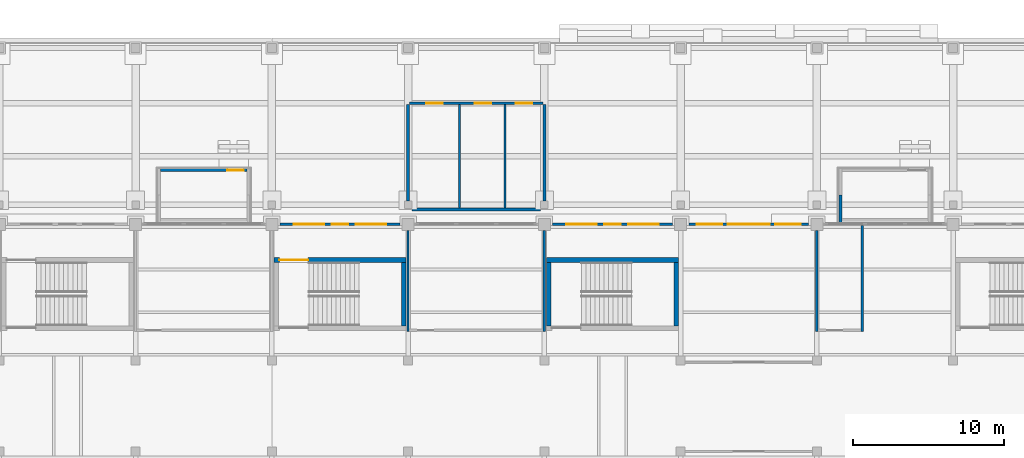
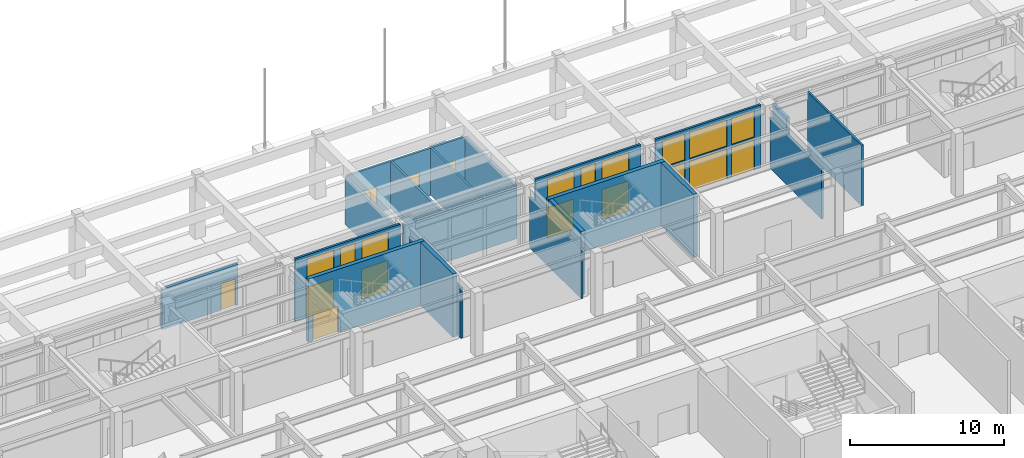
# One storey, part 49 of 77: 20 walls, 12 doors, 9 windows, 21 openings.
"""IFC4 building model written with IfcOpenShell, lengths in metres."""

import ifcopenshell
import ifcopenshell.guid

model = None  # the IFC model being written
_history = None  # IfcOwnerHistory: only IFC2X3 demands one
_inside = {}  # id of a spatial element -> (the spatial element, [elements in it])
_under = {}  # id of a project, library or spatial element -> (it, [spatial elements below it])
_declared = {}  # id of a project -> (the project, [libraries it declares])
_typed = {}  # id of a type object -> (the type object, [elements of that type])
_made_of = {}  # id of a material, layer set ... -> (it, [elements and type objects made of it])


def new_model(schema):
    """Start an empty IFC model of exactly this schema.

    Asked for "IFC4X3", IfcOpenShell would pick the latest addendum, in which some entities
    have other attributes; the version numbers below select the first issue.
    IFC2X3 requires an IfcOwnerHistory on every rooted entity: one is made here for all.
    """
    global model, _history
    if schema == "IFC4X3":
        model = ifcopenshell.file(schema_version=(4, 3, 0, 0))
    else:
        model = ifcopenshell.file(schema=schema)
    _inside.clear()
    _under.clear()
    _declared.clear()
    _typed.clear()
    _made_of.clear()
    _history = None
    if model.schema == "IFC2X3":
        org = make("IfcOrganization", Name="unknown")
        user = make(
            "IfcPersonAndOrganization",
            ThePerson=make("IfcPerson", FamilyName="unknown"),
            TheOrganization=org,
        )
        app = make(
            "IfcApplication",
            ApplicationDeveloper=org,
            Version="unknown",
            ApplicationFullName="unknown",
            ApplicationIdentifier="unknown",
        )
        _history = make(
            "IfcOwnerHistory",
            OwningUser=user,
            OwningApplication=app,
            ChangeAction="ADDED",
            CreationDate=0,
        )
    return model


def make(cls, **values):
    """One entity of the class cls with the attributes given. An attribute that is None is left unset."""
    return model.create_entity(
        cls, **{name: value for name, value in values.items() if value is not None}
    )


def rooted(cls, **values):
    """An entity with a GlobalId (a new one), such as an element, a storey or a relation."""
    return make(cls, GlobalId=ifcopenshell.guid.new(), OwnerHistory=_history, **values)


def si_unit(unit_type, name, prefix=None):
    """IfcSIUnit, for example si_unit("LENGTHUNIT", "METRE", prefix="MILLI")."""
    return make("IfcSIUnit", UnitType=unit_type, Prefix=prefix, Name=name)


def assignment(units):
    """IfcUnitAssignment: the units of a project."""
    return None if units is None else make("IfcUnitAssignment", Units=units)


def point(xyz):
    """IfcCartesianPoint."""
    return None if xyz is None else make("IfcCartesianPoint", Coordinates=xyz)


def direction(xyz):
    """IfcDirection."""
    return None if xyz is None else make("IfcDirection", DirectionRatios=xyz)


def frame(location, z_axis=None, x_axis=None):
    """IfcAxis2Placement3D, a coordinate frame: its origin and axes. An axis left out is left unset."""
    return make(
        "IfcAxis2Placement3D",
        Location=point(location),
        Axis=direction(z_axis),
        RefDirection=direction(x_axis),
    )


def frame_2d(location, x_axis=None):
    """IfcAxis2Placement2D, a coordinate frame in the plane: its origin and x axis."""
    return make(
        "IfcAxis2Placement2D", Location=point(location), RefDirection=direction(x_axis)
    )


def origin():
    """The frame at (0, 0, 0) with its axes left unset."""
    return frame((0.0, 0.0, 0.0))


def place(relative_to, where):
    """IfcLocalPlacement: puts the frame where relative to a parent placement (None: the world)."""
    return make(
        "IfcLocalPlacement", PlacementRelTo=relative_to, RelativePlacement=where
    )


def context(
    kind, dimensions, precision=None, world=None, true_north=None, identifier=None
):
    """IfcGeometricRepresentationContext, for example the 3D "Model" context."""
    return make(
        "IfcGeometricRepresentationContext",
        ContextIdentifier=identifier,
        ContextType=kind,
        CoordinateSpaceDimension=dimensions,
        Precision=precision,
        WorldCoordinateSystem=world,
        TrueNorth=true_north,
    )


def subcontext(parent, identifier, kind, view, scale=None):
    """IfcGeometricRepresentationSubContext, for example "Body" below "Model"."""
    return make(
        "IfcGeometricRepresentationSubContext",
        ContextIdentifier=identifier,
        ContextType=kind,
        ParentContext=parent,
        TargetScale=scale,
        TargetView=view,
    )


def project(units=None, contexts=None):
    """IfcProject with its units and contexts."""
    return rooted(
        "IfcProject",
        Name="project",
        RepresentationContexts=contexts,
        UnitsInContext=assignment(units),
    )


def spatial(cls, under=None, at=None, **own):
    """A site, building, storey or space (cls), placed at a placement, below another one or the project."""
    s = rooted(cls, ObjectPlacement=at, **own)
    if under is not None:
        _under.setdefault(under.id(), (under, []))[1].append(s)
    return s


def profile(cls, at=None, kind="AREA", **sizes):
    """A parametric profile (cls). Its sizes go by their IFC names, for example OverallWidth=200.0."""
    return make(cls, ProfileType=kind, Position=at, **sizes)


def rectangle(**sizes):
    """IfcRectangleProfileDef."""
    return profile("IfcRectangleProfileDef", **sizes)


def extrude(swept, where, along, depth):
    """IfcExtrudedAreaSolid: the profile swept, set in the frame where, extruded along a direction by depth."""
    return make(
        "IfcExtrudedAreaSolid",
        SweptArea=swept,
        Position=where,
        ExtrudedDirection=direction(along),
        Depth=depth,
    )


def shape(context_of_items, identifier, shape_type, items):
    """IfcShapeRepresentation: the items that make up one representation, for example the "Body"."""
    return make(
        "IfcShapeRepresentation",
        ContextOfItems=context_of_items,
        RepresentationIdentifier=identifier,
        RepresentationType=shape_type,
        Items=items,
    )


def material(Name=None, Category=None):
    """IfcMaterial."""
    return make("IfcMaterial", Name=Name, Category=Category)


def layer(
    of_material, thickness, ventilated=None, Name=None, Category=None, Priority=None
):
    """IfcMaterialLayer: one layer of a wall or slab, of a material (None: an air gap)."""
    return make(
        "IfcMaterialLayer",
        Material=of_material,
        LayerThickness=thickness,
        IsVentilated=ventilated,
        Name=Name,
        Category=Category,
        Priority=Priority,
    )


def layer_set(layers, Name=None):
    """IfcMaterialLayerSet."""
    return make("IfcMaterialLayerSet", MaterialLayers=layers, LayerSetName=Name)


def made_of(thing, what):
    """Note that an element or type object is made of a material, layer set ...; save() writes the relation."""
    if what is not None:
        _made_of.setdefault(what.id(), (what, []))[1].append(thing)
    return thing


def type_object(cls, material=None, **own):
    """A type object (cls), such as IfcWallType, which elements share."""
    return made_of(rooted(cls, **own), material)


def element(
    cls,
    number,
    at=None,
    inside=None,
    cuts=None,
    type_object=None,
    material=None,
    context=None,
    identifier="Body",
    shape_type=None,
    held_by="IfcProductDefinitionShape",
    body=None,
    shapes=None,
    **own,
):
    """One element of the class cls, such as IfcWall. Its Tag is "e" and its number.

    at: its placement. inside: the storey or other place that contains it. cuts: it is an
    opening in that element (IfcRelVoidsElement). A single representation is given by context,
    identifier, shape_type and body (its items); several are given by shapes. held_by: the class
    of the entity that holds the representations. save() writes the other relations.
    """
    e = rooted(cls, Tag="e%d" % number, ObjectPlacement=at, **own)
    if body is not None:
        shapes = [shape(context, identifier, shape_type, body)]
    if shapes is not None:
        e.Representation = make(held_by, Representations=shapes)
    if inside is not None:
        _inside.setdefault(inside.id(), (inside, []))[1].append(e)
    if cuts is not None:
        rooted(
            "IfcRelVoidsElement", RelatingBuildingElement=cuts, RelatedOpeningElement=e
        )
    if type_object is not None:
        _typed.setdefault(type_object.id(), (type_object, []))[1].append(e)
    return made_of(e, material)


def fill(opening, filler):
    """IfcRelFillsElement: the door or window that sits in an opening."""
    return rooted(
        "IfcRelFillsElement",
        RelatingOpeningElement=opening,
        RelatedBuildingElement=filler,
    )


def aggregate(whole, parts):
    """IfcRelAggregates: a whole, such as a stair, and the parts it consists of."""
    return rooted("IfcRelAggregates", RelatingObject=whole, RelatedObjects=parts)


def save(model, path):
    """Write the relations noted so far, then the file.

    IfcRelAggregates (storeys below a building ...), IfcRelContainedInSpatialStructure (elements
    in a storey), IfcRelDefinesByType, IfcRelAssociatesMaterial and IfcRelDeclares: one each for
    every whole, place, type object, material and project.
    """
    for whole, parts in _under.values():
        aggregate(whole, parts)
    for where, things in _inside.values():
        rooted(
            "IfcRelContainedInSpatialStructure",
            RelatedElements=things,
            RelatingStructure=where,
        )
    for kind, things in _typed.values():
        rooted("IfcRelDefinesByType", RelatedObjects=things, RelatingType=kind)
    for what, things in _made_of.values():
        rooted("IfcRelAssociatesMaterial", RelatedObjects=things, RelatingMaterial=what)
    for by, libraries in _declared.values():
        rooted("IfcRelDeclares", RelatingContext=by, RelatedDefinitions=libraries)
    model.write(path)


model = new_model("IFC4")

# Units and contexts
model_context = context("Model", 3, precision=1e-05, world=origin(), true_north=direction((0.0, 1.0)))
body_context = subcontext(model_context, "Body", "Model", "MODEL_VIEW")
ifc_project = project(units=[si_unit("LENGTHUNIT", "METRE"), si_unit("AREAUNIT", "SQUARE_METRE"), si_unit("VOLUMEUNIT", "CUBIC_METRE"), si_unit("PLANEANGLEUNIT", "RADIAN"), si_unit("MASSUNIT", "GRAM", prefix="KILO")], contexts=[model_context])

# Site, building, storey
site_placement = place(None, origin())
site = spatial("IfcSite", under=ifc_project, at=site_placement, CompositionType="ELEMENT")
building_placement = place(site_placement, origin())
building = spatial("IfcBuilding", under=site, at=building_placement, Name="Aravalli Gate Trade Fair Centre", CompositionType="ELEMENT")
storey_placement = place(building_placement, origin())
storey = spatial("IfcBuildingStorey", under=building, at=storey_placement, Name="L00", CompositionType="ELEMENT", Elevation=0.0)

# Walls
ifc_material_1 = material(Name="Concrete block masonry", Category="masonry")
ifc_layer_1 = layer(ifc_material_1, 0.199951171875)
ifc_layer_set_1 = layer_set([ifc_layer_1], Name="Concrete block masonry")
wall_type_1 = type_object("IfcWallType", Name="Arcade rear wall 200", PredefinedType="STANDARD", material=ifc_layer_set_1)
wall_1_placement = place(storey_placement, frame((60.25, 134.0, 0.0), z_axis=(0.0, 0.0, 1.0), x_axis=(1.0, 0.0, 0.0)))
element("IfcWall", 1, at=wall_1_placement, inside=storey, type_object=wall_type_1, Name="Arcade rear wall wc", PredefinedType="STANDARD", context=body_context, shape_type="SweptSolid", body=[
    extrude(rectangle(XDim=8.5, YDim=0.199951171875, at=frame_2d((4.25, 0.0))), origin(), (0.0, 0.0, 1.0), 4.050048828125),
])
for number, where, z_axis, x_axis, name in (
    (2, (60.0, 134.550048828125, 0.0), (0.0, 0.0, 1.0), (0.0, 1.0, 0.0), "Arcade side wall wc W"),
    (3, (69.0, 134.550048828125, 0.0), (0.0, 0.0, 1.0), (0.0, 1.0, 0.0), "Arcade side wall wc E"),
):
    element("IfcWall", number, at=place(storey_placement, frame(where, z_axis=z_axis, x_axis=x_axis)), inside=storey, type_object=wall_type_1, Name=name, PredefinedType="STANDARD", context=body_context, shape_type="SweptSolid", body=[
        extrude(rectangle(XDim=6.369873046875, YDim=0.199951171875, at=frame_2d((3.18505859375, 0.0))), origin(), (0.0, 0.0, 1.0), 3.75),
    ])
for number, where, z_axis, x_axis, name in (
    (4, (63.39990234375, 134.10009765625, 0.0), (0.0, 0.0, 1.0), (0.0, 1.0, 0.0), "WC partition 1"),
    (5, (66.39990234375, 134.10009765625, 0.0), (0.0, 0.0, 1.0), (0.0, 1.0, 0.0), "WC partition 2"),
):
    element("IfcWall", number, at=place(storey_placement, frame(where, z_axis=z_axis, x_axis=x_axis)), inside=storey, type_object=wall_type_1, Name=name, PredefinedType="STANDARD", context=body_context, shape_type="SweptSolid", body=[
        extrude(rectangle(XDim=6.81982421875, YDim=0.14990234375, at=frame_2d((3.409912109375, 0.0))), origin(), (0.0, 0.0, 1.0), 3.75),
    ])

# Wall, openings, doors
ifc_material_2 = material(Name="Aluminium frame with glass", Category="aluminium")
ifc_layer_2 = layer(ifc_material_2, 0.159912109375)
ifc_layer_set_2 = layer_set([ifc_layer_2], Name="Aluminium frame with glass")
wall_type_2 = type_object("IfcWallType", Name="Arcade shopfront wall 160", PredefinedType="STANDARD", material=ifc_layer_set_2)
wall_2_placement = place(storey_placement, frame((60.10009765625, 141.0, 0.0), z_axis=(0.0, 0.0, 1.0), x_axis=(1.0, 0.0, 0.0)))
wall_2 = element("IfcWall", 6, at=wall_2_placement, inside=storey, type_object=wall_type_2, Name="Arcade shopfront wc", PredefinedType="STANDARD", context=body_context, shape_type="SweptSolid", body=[
    extrude(rectangle(XDim=8.7998046875, YDim=0.159912109375, at=frame_2d((4.39990234375, 0.0))), origin(), (0.0, 0.0, 1.0), 3.75),
])
opening_1_placement = place(wall_2_placement, frame((1.10009765625, 0.0, 0.0)))
opening_1 = element("IfcOpeningElement", 7, at=opening_1_placement, cuts=wall_2, Name="Opening P-L00-02", PredefinedType="OPENING", context=body_context, shape_type="SweptSolid", body=[
    extrude(rectangle(XDim=1.10009765625, YDim=2.10009765625, at=frame_2d((0.550048828125, 1.050048828125))), frame((0.0, 0.08984375, 0.0), z_axis=(0.0, -1.0, 0.0), x_axis=(1.0, 0.0, 0.0)), (0.0, 0.0, 1.0), 0.179931640625),
])
opening_2_placement = place(wall_2_placement, frame((4.300048828125, 0.0, 0.0)))
opening_2 = element("IfcOpeningElement", 8, at=opening_2_placement, cuts=wall_2, Name="Opening P-L00-03", PredefinedType="OPENING", context=body_context, shape_type="SweptSolid", body=[
    extrude(rectangle(XDim=1.10009765625, YDim=2.10009765625, at=frame_2d((0.550048828125, 1.050048828125))), frame((0.0, 0.08984375, 0.0), z_axis=(0.0, -1.0, 0.0), x_axis=(1.0, 0.0, 0.0)), (0.0, 0.0, 1.0), 0.179931640625),
])
opening_3_placement = place(wall_2_placement, frame((7.0, 0.0, 0.0)))
opening_3 = element("IfcOpeningElement", 9, at=opening_3_placement, cuts=wall_2, Name="Opening P-L00-04", PredefinedType="OPENING", context=body_context, shape_type="SweptSolid", body=[
    extrude(rectangle(XDim=1.10009765625, YDim=2.10009765625, at=frame_2d((0.550048828125, 1.050048828125))), frame((0.0, 0.08984375, 0.0), z_axis=(0.0, -1.0, 0.0), x_axis=(1.0, 0.0, 0.0)), (0.0, 0.0, 1.0), 0.179931640625),
])
ifc_material_3 = material(Name="Aluminium and glass", Category="aluminium")
door_type_1 = type_object("IfcDoorType", Name="Arcade door, single 1100 x 2100", OperationType="SINGLE_SWING_LEFT", PredefinedType="NOTDEFINED", material=ifc_material_3)
door_1_placement = place(opening_1_placement, frame((1.10009765625, 0.0, 0.0), z_axis=(0.0, 0.0, 1.0), x_axis=(-1.0, 0.0, 0.0)))
door_1 = element("IfcDoor", 10, at=door_1_placement, inside=storey, type_object=door_type_1, Name="Gents WC door", OperationType="SINGLE_SWING_LEFT", OverallHeight=2.10009765625, OverallWidth=1.10009765625, PredefinedType="NOTDEFINED", context=body_context, shape_type="SweptSolid", body=[
    extrude(rectangle(XDim=1.10009765625, YDim=2.10009765625, at=frame_2d((0.550048828125, 1.050048828125))), frame((0.0, 0.02490234375, 0.0), z_axis=(0.0, -1.0, 0.0), x_axis=(1.0, 0.0, 0.0)), (0.0, 0.0, 1.0), 0.050048828125),
])
fill(opening_1, door_1)
door_2_placement = place(opening_2_placement, frame((1.10009765625, 0.0, 0.0), z_axis=(0.0, 0.0, 1.0), x_axis=(-1.0, 0.0, 0.0)))
door_2 = element("IfcDoor", 11, at=door_2_placement, inside=storey, type_object=door_type_1, Name="Ladies WC door", OperationType="SINGLE_SWING_LEFT", OverallHeight=2.10009765625, OverallWidth=1.10009765625, PredefinedType="NOTDEFINED", context=body_context, shape_type="SweptSolid", body=[
    extrude(rectangle(XDim=1.10009765625, YDim=2.10009765625, at=frame_2d((0.550048828125, 1.050048828125))), frame((0.0, 0.02490234375, 0.0), z_axis=(0.0, -1.0, 0.0), x_axis=(1.0, 0.0, 0.0)), (0.0, 0.0, 1.0), 0.050048828125),
])
fill(opening_2, door_2)
door_3_placement = place(opening_3_placement, frame((1.10009765625, 0.0, 0.0), z_axis=(0.0, 0.0, 1.0), x_axis=(-1.0, 0.0, 0.0)))
door_3 = element("IfcDoor", 12, at=door_3_placement, inside=storey, type_object=door_type_1, Name="Accessible WC door", OperationType="SINGLE_SWING_RIGHT", OverallHeight=2.10009765625, OverallWidth=1.10009765625, PredefinedType="NOTDEFINED", context=body_context, shape_type="SweptSolid", body=[
    extrude(rectangle(XDim=1.10009765625, YDim=2.10009765625, at=frame_2d((0.550048828125, 1.050048828125))), frame((0.0, 0.02490234375, 0.0), z_axis=(0.0, -1.0, 0.0), x_axis=(1.0, 0.0, 0.0)), (0.0, 0.0, 1.0), 0.050048828125),
])
fill(opening_3, door_3)

# Wall, opening, door
ifc_material_4 = material(Name="Concrete M35", Category="concrete")
ifc_layer_3 = layer(ifc_material_4, 0.199951171875)
ifc_layer_set_3 = layer_set([ifc_layer_3], Name="Concrete M35")
wall_type_3 = type_object("IfcWallType", Name="Basement stair enclosure wall 200", PredefinedType="SOLIDWALL", material=ifc_layer_set_3)
wall_3_placement = place(storey_placement, frame((49.35009765625, 136.580078125, 0.0), z_axis=(0.0, 0.0, 1.0), x_axis=(-1.0, 0.0, 0.0)))
wall_3 = element("IfcWall", 13, at=wall_3_placement, inside=storey, type_object=wall_type_3, Name="Basement stair N2 enclosure wall O L00", PredefinedType="SOLIDWALL", context=body_context, shape_type="SweptSolid", body=[
    extrude(rectangle(XDim=5.7001953125, YDim=0.199951171875, at=frame_2d((2.85009765625, 0.0))), origin(), (0.0, 0.0, 1.0), 3.199951171875),
])
opening_4_placement = place(wall_3_placement, frame((0.199951171875, 0.0, 0.0)))
opening_4 = element("IfcOpeningElement", 14, at=opening_4_placement, cuts=wall_3, Name="Opening B-L00-04", PredefinedType="OPENING", context=body_context, shape_type="SweptSolid", body=[
    extrude(rectangle(XDim=1.10009765625, YDim=2.10009765625, at=frame_2d((0.550048828125, 1.050048828125))), frame((0.0, 0.10986328125, 0.0), z_axis=(0.0, -1.0, 0.0), x_axis=(1.0, 0.0, 0.0)), (0.0, 0.0, 1.0), 0.219970703125),
])
ifc_material_5 = material(Name="Steel", Category="steel")
door_type_2 = type_object("IfcDoorType", Name="Basement stair door 1100x2100", OperationType="SINGLE_SWING_LEFT", PredefinedType="DOOR", material=ifc_material_5)
door_4_placement = place(opening_4_placement, frame((1.10009765625, 0.0, 0.0), z_axis=(0.0, 0.0, 1.0), x_axis=(-1.0, 0.0, 0.0)))
door_4 = element("IfcDoor", 15, at=door_4_placement, inside=storey, type_object=door_type_2, Name="Basement stair N2 discharge door", OperationType="SINGLE_SWING_LEFT", OverallHeight=2.10009765625, OverallWidth=1.10009765625, PredefinedType="DOOR", context=body_context, shape_type="SweptSolid", body=[
    extrude(rectangle(XDim=1.10009765625, YDim=2.10009765625, at=frame_2d((0.550048828125, 1.050048828125))), frame((0.0, 0.02490234375, 0.0), z_axis=(0.0, -1.0, 0.0), x_axis=(1.0, 0.0, 0.0)), (0.0, 0.0, 1.0), 0.050048828125),
])
fill(opening_4, door_4)

# Wall
wall_4_placement = place(storey_placement, frame((88.550048828125, 133.05908203125, 0.0), z_axis=(0.0, 0.0, 1.0), x_axis=(0.0, 1.0, 0.0)))
element("IfcWall", 16, at=wall_4_placement, inside=storey, type_object=wall_type_3, Name="Basement stair N3 enclosure wall R1 L00", PredefinedType="SOLIDWALL", context=body_context, shape_type="SweptSolid", body=[
    extrude(rectangle(XDim=1.870849609375, YDim=0.199951171875, at=frame_2d((0.935546875, 0.0))), origin(), (0.0, 0.0, 1.0), 3.199951171875),
])

# Wall, openings, windows, doors
ifc_material_6 = material(Name="Aluminium frame with terracotta panels", Category="masonry")
ifc_layer_4 = layer(ifc_material_6, 0.159912109375)
ifc_layer_set_4 = layer_set([ifc_layer_4], Name="Aluminium frame with terracotta panels")
wall_type_4 = type_object("IfcWallType", Name="Entrance screen wall 160", PredefinedType="STANDARD", material=ifc_layer_set_4)
wall_5_placement = place(storey_placement, frame((51.550048828125, 133.0, 0.0), z_axis=(0.0, 0.0, 1.0), x_axis=(1.0, 0.0, 0.0)))
wall_5 = element("IfcWall", 17, at=wall_5_placement, inside=storey, type_object=wall_type_4, Name="Entrance screen wall bay 6", PredefinedType="STANDARD", context=body_context, shape_type="SweptSolid", body=[
    extrude(rectangle(XDim=7.89990234375, YDim=0.159912109375, at=frame_2d((3.949951171875, 0.0))), origin(), (0.0, 0.0, 1.0), 5.0),
])
opening_5_placement = place(wall_5_placement, frame((0.89990234375, 0.0, 0.0)))
opening_5 = element("IfcOpeningElement", 18, at=opening_5_placement, cuts=wall_5, Name="Opening C-L00-07", PredefinedType="OPENING", context=body_context, shape_type="SweptSolid", body=[
    extrude(rectangle(XDim=2.0, YDim=2.39990234375, at=frame_2d((1.0, 1.199951171875))), frame((0.0, 0.08984375, 0.0), z_axis=(0.0, -1.0, 0.0), x_axis=(1.0, 0.0, 0.0)), (0.0, 0.0, 1.0), 0.179931640625),
])
opening_6_placement = place(wall_5_placement, frame((0.89990234375, 0.0, 2.60009765625)))
opening_6 = element("IfcOpeningElement", 19, at=opening_6_placement, cuts=wall_5, Name="Opening WT1", PredefinedType="OPENING", context=body_context, shape_type="SweptSolid", body=[
    extrude(rectangle(XDim=2.0, YDim=2.10009765625, at=frame_2d((1.0, 1.050048828125))), frame((0.0, 0.08984375, 0.0), z_axis=(0.0, -1.0, 0.0), x_axis=(1.0, 0.0, 0.0)), (0.0, 0.0, 1.0), 0.179931640625),
])
opening_7_placement = place(wall_5_placement, frame((5.0, 0.0, 0.0)))
opening_7 = element("IfcOpeningElement", 20, at=opening_7_placement, cuts=wall_5, Name="Opening C-L00-08", PredefinedType="OPENING", context=body_context, shape_type="SweptSolid", body=[
    extrude(rectangle(XDim=2.0, YDim=2.39990234375, at=frame_2d((1.0, 1.199951171875))), frame((0.0, 0.08984375, 0.0), z_axis=(0.0, -1.0, 0.0), x_axis=(1.0, 0.0, 0.0)), (0.0, 0.0, 1.0), 0.179931640625),
])
opening_8_placement = place(wall_5_placement, frame((5.0, 0.0, 2.60009765625)))
opening_8 = element("IfcOpeningElement", 21, at=opening_8_placement, cuts=wall_5, Name="Opening WT1", PredefinedType="OPENING", context=body_context, shape_type="SweptSolid", body=[
    extrude(rectangle(XDim=2.0, YDim=2.10009765625, at=frame_2d((1.0, 1.050048828125))), frame((0.0, 0.08984375, 0.0), z_axis=(0.0, -1.0, 0.0), x_axis=(1.0, 0.0, 0.0)), (0.0, 0.0, 1.0), 0.179931640625),
])
opening_9_placement = place(wall_5_placement, frame((3.39990234375, 0.0, 0.89990234375)))
opening_9 = element("IfcOpeningElement", 22, at=opening_9_placement, cuts=wall_5, Name="Opening WT4", PredefinedType="OPENING", context=body_context, shape_type="SweptSolid", body=[
    extrude(rectangle(XDim=1.10009765625, YDim=3.800048828125, at=frame_2d((0.550048828125, 1.89990234375))), frame((0.0, 0.08984375, 0.0), z_axis=(0.0, -1.0, 0.0), x_axis=(1.0, 0.0, 0.0)), (0.0, 0.0, 1.0), 0.179931640625),
])
window_type_1 = type_object("IfcWindowType", Name="Entrance side light 1100 x 3800", PartitioningType="SINGLE_PANEL", PredefinedType="WINDOW", material=ifc_material_3)
window_1_placement = place(opening_9_placement, origin())
window_1 = element("IfcWindow", 23, at=window_1_placement, inside=storey, type_object=window_type_1, Name="Entrance side light bay 6", OverallHeight=3.800048828125, OverallWidth=1.10009765625, PartitioningType="SINGLE_PANEL", PredefinedType="WINDOW", context=body_context, shape_type="SweptSolid", body=[
    extrude(rectangle(XDim=1.10009765625, YDim=3.800048828125, at=frame_2d((0.550048828125, 1.89990234375))), frame((0.0, 0.030029296875, 0.0), z_axis=(0.0, -1.0, 0.0), x_axis=(1.0, 0.0, 0.0)), (0.0, 0.0, 1.0), 0.06005859375),
])
fill(opening_9, window_1)
window_type_2 = type_object("IfcWindowType", Name="Entrance transom light 2000 x 2100", PartitioningType="SINGLE_PANEL", PredefinedType="WINDOW", material=ifc_material_3)
window_2_placement = place(opening_6_placement, origin())
window_2 = element("IfcWindow", 24, at=window_2_placement, inside=storey, type_object=window_type_2, Name="Entrance transom light bay 6.1", OverallHeight=2.10009765625, OverallWidth=2.0, PartitioningType="SINGLE_PANEL", PredefinedType="WINDOW", context=body_context, shape_type="SweptSolid", body=[
    extrude(rectangle(XDim=2.0, YDim=2.10009765625, at=frame_2d((1.0, 1.050048828125))), frame((0.0, 0.030029296875, 0.0), z_axis=(0.0, -1.0, 0.0), x_axis=(1.0, 0.0, 0.0)), (0.0, 0.0, 1.0), 0.06005859375),
])
fill(opening_6, window_2)
window_3_placement = place(opening_8_placement, origin())
window_3 = element("IfcWindow", 25, at=window_3_placement, inside=storey, type_object=window_type_2, Name="Entrance transom light bay 6.2", OverallHeight=2.10009765625, OverallWidth=2.0, PartitioningType="SINGLE_PANEL", PredefinedType="WINDOW", context=body_context, shape_type="SweptSolid", body=[
    extrude(rectangle(XDim=2.0, YDim=2.10009765625, at=frame_2d((1.0, 1.050048828125))), frame((0.0, 0.030029296875, 0.0), z_axis=(0.0, -1.0, 0.0), x_axis=(1.0, 0.0, 0.0)), (0.0, 0.0, 1.0), 0.06005859375),
])
fill(opening_8, window_3)
door_type_3 = type_object("IfcDoorType", Name="Exit door, double leaf 2000 x 2400", OperationType="DOUBLE_DOOR_SINGLE_SWING", PredefinedType="NOTDEFINED", material=ifc_material_3)
door_5_placement = place(opening_5_placement, origin())
door_5 = element("IfcDoor", 26, at=door_5_placement, inside=storey, type_object=door_type_3, Name="Entrance door bay 6.1", OperationType="DOUBLE_DOOR_SINGLE_SWING", OverallHeight=2.39990234375, OverallWidth=2.0, PredefinedType="NOTDEFINED", context=body_context, shape_type="SweptSolid", body=[
    extrude(rectangle(XDim=2.0, YDim=2.39990234375, at=frame_2d((1.0, 1.199951171875))), frame((0.0, 0.02490234375, 0.0), z_axis=(0.0, -1.0, 0.0), x_axis=(1.0, 0.0, 0.0)), (0.0, 0.0, 1.0), 0.050048828125),
])
fill(opening_5, door_5)
door_6_placement = place(opening_7_placement, origin())
door_6 = element("IfcDoor", 27, at=door_6_placement, inside=storey, type_object=door_type_3, Name="Entrance door bay 6.2", OperationType="DOUBLE_DOOR_SINGLE_SWING", OverallHeight=2.39990234375, OverallWidth=2.0, PredefinedType="NOTDEFINED", context=body_context, shape_type="SweptSolid", body=[
    extrude(rectangle(XDim=2.0, YDim=2.39990234375, at=frame_2d((1.0, 1.199951171875))), frame((0.0, 0.02490234375, 0.0), z_axis=(0.0, -1.0, 0.0), x_axis=(1.0, 0.0, 0.0)), (0.0, 0.0, 1.0), 0.050048828125),
])
fill(opening_7, door_6)

wall_6_placement = place(storey_placement, frame((69.550048828125, 133.0, 0.0), z_axis=(0.0, 0.0, 1.0), x_axis=(1.0, 0.0, 0.0)))
wall_6 = element("IfcWall", 28, at=wall_6_placement, inside=storey, type_object=wall_type_4, Name="Entrance screen wall bay 8", PredefinedType="STANDARD", context=body_context, shape_type="SweptSolid", body=[
    extrude(rectangle(XDim=7.89990234375, YDim=0.159912109375, at=frame_2d((3.949951171875, 0.0))), origin(), (0.0, 0.0, 1.0), 5.0),
])
opening_10_placement = place(wall_6_placement, frame((0.89990234375, 0.0, 0.0)))
opening_10 = element("IfcOpeningElement", 29, at=opening_10_placement, cuts=wall_6, Name="Opening C-L00-09", PredefinedType="OPENING", context=body_context, shape_type="SweptSolid", body=[
    extrude(rectangle(XDim=2.0, YDim=2.39990234375, at=frame_2d((1.0, 1.199951171875))), frame((0.0, 0.08984375, 0.0), z_axis=(0.0, -1.0, 0.0), x_axis=(1.0, 0.0, 0.0)), (0.0, 0.0, 1.0), 0.179931640625),
])
opening_11_placement = place(wall_6_placement, frame((0.89990234375, 0.0, 2.60009765625)))
opening_11 = element("IfcOpeningElement", 30, at=opening_11_placement, cuts=wall_6, Name="Opening WT1", PredefinedType="OPENING", context=body_context, shape_type="SweptSolid", body=[
    extrude(rectangle(XDim=2.0, YDim=2.10009765625, at=frame_2d((1.0, 1.050048828125))), frame((0.0, 0.08984375, 0.0), z_axis=(0.0, -1.0, 0.0), x_axis=(1.0, 0.0, 0.0)), (0.0, 0.0, 1.0), 0.179931640625),
])
opening_12_placement = place(wall_6_placement, frame((5.0, 0.0, 0.0)))
opening_12 = element("IfcOpeningElement", 31, at=opening_12_placement, cuts=wall_6, Name="Opening C-L00-10", PredefinedType="OPENING", context=body_context, shape_type="SweptSolid", body=[
    extrude(rectangle(XDim=2.0, YDim=2.39990234375, at=frame_2d((1.0, 1.199951171875))), frame((0.0, 0.08984375, 0.0), z_axis=(0.0, -1.0, 0.0), x_axis=(1.0, 0.0, 0.0)), (0.0, 0.0, 1.0), 0.179931640625),
])
opening_13_placement = place(wall_6_placement, frame((5.0, 0.0, 2.60009765625)))
opening_13 = element("IfcOpeningElement", 32, at=opening_13_placement, cuts=wall_6, Name="Opening WT1", PredefinedType="OPENING", context=body_context, shape_type="SweptSolid", body=[
    extrude(rectangle(XDim=2.0, YDim=2.10009765625, at=frame_2d((1.0, 1.050048828125))), frame((0.0, 0.08984375, 0.0), z_axis=(0.0, -1.0, 0.0), x_axis=(1.0, 0.0, 0.0)), (0.0, 0.0, 1.0), 0.179931640625),
])
opening_14_placement = place(wall_6_placement, frame((3.39990234375, 0.0, 0.89990234375)))
opening_14 = element("IfcOpeningElement", 33, at=opening_14_placement, cuts=wall_6, Name="Opening WT4", PredefinedType="OPENING", context=body_context, shape_type="SweptSolid", body=[
    extrude(rectangle(XDim=1.10009765625, YDim=3.800048828125, at=frame_2d((0.550048828125, 1.89990234375))), frame((0.0, 0.08984375, 0.0), z_axis=(0.0, -1.0, 0.0), x_axis=(1.0, 0.0, 0.0)), (0.0, 0.0, 1.0), 0.179931640625),
])
window_4_placement = place(opening_14_placement, origin())
window_4 = element("IfcWindow", 34, at=window_4_placement, inside=storey, type_object=window_type_1, Name="Entrance side light bay 8", OverallHeight=3.800048828125, OverallWidth=1.10009765625, PartitioningType="SINGLE_PANEL", PredefinedType="WINDOW", context=body_context, shape_type="SweptSolid", body=[
    extrude(rectangle(XDim=1.10009765625, YDim=3.800048828125, at=frame_2d((0.550048828125, 1.89990234375))), frame((0.0, 0.030029296875, 0.0), z_axis=(0.0, -1.0, 0.0), x_axis=(1.0, 0.0, 0.0)), (0.0, 0.0, 1.0), 0.06005859375),
])
fill(opening_14, window_4)
window_5_placement = place(opening_11_placement, origin())
window_5 = element("IfcWindow", 35, at=window_5_placement, inside=storey, type_object=window_type_2, Name="Entrance transom light bay 8.1", OverallHeight=2.10009765625, OverallWidth=2.0, PartitioningType="SINGLE_PANEL", PredefinedType="WINDOW", context=body_context, shape_type="SweptSolid", body=[
    extrude(rectangle(XDim=2.0, YDim=2.10009765625, at=frame_2d((1.0, 1.050048828125))), frame((0.0, 0.030029296875, 0.0), z_axis=(0.0, -1.0, 0.0), x_axis=(1.0, 0.0, 0.0)), (0.0, 0.0, 1.0), 0.06005859375),
])
fill(opening_11, window_5)
window_6_placement = place(opening_13_placement, origin())
window_6 = element("IfcWindow", 36, at=window_6_placement, inside=storey, type_object=window_type_2, Name="Entrance transom light bay 8.2", OverallHeight=2.10009765625, OverallWidth=2.0, PartitioningType="SINGLE_PANEL", PredefinedType="WINDOW", context=body_context, shape_type="SweptSolid", body=[
    extrude(rectangle(XDim=2.0, YDim=2.10009765625, at=frame_2d((1.0, 1.050048828125))), frame((0.0, 0.030029296875, 0.0), z_axis=(0.0, -1.0, 0.0), x_axis=(1.0, 0.0, 0.0)), (0.0, 0.0, 1.0), 0.06005859375),
])
fill(opening_13, window_6)
door_7_placement = place(opening_10_placement, origin())
door_7 = element("IfcDoor", 37, at=door_7_placement, inside=storey, type_object=door_type_3, Name="Entrance door bay 8.1", OperationType="DOUBLE_DOOR_SINGLE_SWING", OverallHeight=2.39990234375, OverallWidth=2.0, PredefinedType="NOTDEFINED", context=body_context, shape_type="SweptSolid", body=[
    extrude(rectangle(XDim=2.0, YDim=2.39990234375, at=frame_2d((1.0, 1.199951171875))), frame((0.0, 0.02490234375, 0.0), z_axis=(0.0, -1.0, 0.0), x_axis=(1.0, 0.0, 0.0)), (0.0, 0.0, 1.0), 0.050048828125),
])
fill(opening_10, door_7)
door_8_placement = place(opening_12_placement, origin())
door_8 = element("IfcDoor", 38, at=door_8_placement, inside=storey, type_object=door_type_3, Name="Entrance door bay 8.2", OperationType="DOUBLE_DOOR_SINGLE_SWING", OverallHeight=2.39990234375, OverallWidth=2.0, PredefinedType="NOTDEFINED", context=body_context, shape_type="SweptSolid", body=[
    extrude(rectangle(XDim=2.0, YDim=2.39990234375, at=frame_2d((1.0, 1.199951171875))), frame((0.0, 0.02490234375, 0.0), z_axis=(0.0, -1.0, 0.0), x_axis=(1.0, 0.0, 0.0)), (0.0, 0.0, 1.0), 0.050048828125),
])
fill(opening_12, door_8)

# Wall, openings, doors, windows
wall_7_placement = place(storey_placement, frame((78.550048828125, 133.0, 0.0), z_axis=(0.0, 0.0, 1.0), x_axis=(1.0, 0.0, 0.0)))
wall_7 = element("IfcWall", 39, at=wall_7_placement, inside=storey, type_object=wall_type_4, Name="Entrance screen wall bay 9", PredefinedType="STANDARD", context=body_context, shape_type="SweptSolid", body=[
    extrude(rectangle(XDim=7.89990234375, YDim=0.159912109375, at=frame_2d((3.949951171875, 0.0))), origin(), (0.0, 0.0, 1.0), 5.0),
])
opening_15_placement = place(wall_7_placement, frame((0.5, 0.0, 0.0)))
opening_15 = element("IfcOpeningElement", 40, at=opening_15_placement, cuts=wall_7, Name="Opening C-L00-11", PredefinedType="OPENING", context=body_context, shape_type="SweptSolid", body=[
    extrude(rectangle(XDim=1.699951171875, YDim=2.39990234375, at=frame_2d((0.85009765625, 1.199951171875))), frame((0.0, 0.08984375, 0.0), z_axis=(0.0, -1.0, 0.0), x_axis=(1.0, 0.0, 0.0)), (0.0, 0.0, 1.0), 0.179931640625),
])
opening_16_placement = place(wall_7_placement, frame((0.5, 0.0, 2.60009765625)))
opening_16 = element("IfcOpeningElement", 41, at=opening_16_placement, cuts=wall_7, Name="Opening WT2", PredefinedType="OPENING", context=body_context, shape_type="SweptSolid", body=[
    extrude(rectangle(XDim=1.699951171875, YDim=2.10009765625, at=frame_2d((0.85009765625, 1.050048828125))), frame((0.0, 0.08984375, 0.0), z_axis=(0.0, -1.0, 0.0), x_axis=(1.0, 0.0, 0.0)), (0.0, 0.0, 1.0), 0.179931640625),
])
opening_17_placement = place(wall_7_placement, frame((2.550048828125, 0.0, 0.0)))
opening_17 = element("IfcOpeningElement", 42, at=opening_17_placement, cuts=wall_7, Name="Opening C-L00-12", PredefinedType="OPENING", context=body_context, shape_type="SweptSolid", body=[
    extrude(rectangle(XDim=2.800048828125, YDim=2.39990234375, at=frame_2d((1.39990234375, 1.199951171875))), frame((0.0, 0.08984375, 0.0), z_axis=(0.0, -1.0, 0.0), x_axis=(1.0, 0.0, 0.0)), (0.0, 0.0, 1.0), 0.179931640625),
])
opening_18_placement = place(wall_7_placement, frame((2.550048828125, 0.0, 2.60009765625)))
opening_18 = element("IfcOpeningElement", 43, at=opening_18_placement, cuts=wall_7, Name="Opening WT3", PredefinedType="OPENING", context=body_context, shape_type="SweptSolid", body=[
    extrude(rectangle(XDim=2.800048828125, YDim=2.10009765625, at=frame_2d((1.39990234375, 1.050048828125))), frame((0.0, 0.08984375, 0.0), z_axis=(0.0, -1.0, 0.0), x_axis=(1.0, 0.0, 0.0)), (0.0, 0.0, 1.0), 0.179931640625),
])
opening_19_placement = place(wall_7_placement, frame((5.699951171875, 0.0, 0.0)))
opening_19 = element("IfcOpeningElement", 44, at=opening_19_placement, cuts=wall_7, Name="Opening C-L00-13", PredefinedType="OPENING", context=body_context, shape_type="SweptSolid", body=[
    extrude(rectangle(XDim=1.699951171875, YDim=2.39990234375, at=frame_2d((0.85009765625, 1.199951171875))), frame((0.0, 0.08984375, 0.0), z_axis=(0.0, -1.0, 0.0), x_axis=(1.0, 0.0, 0.0)), (0.0, 0.0, 1.0), 0.179931640625),
])
opening_20_placement = place(wall_7_placement, frame((5.699951171875, 0.0, 2.60009765625)))
opening_20 = element("IfcOpeningElement", 45, at=opening_20_placement, cuts=wall_7, Name="Opening WT2", PredefinedType="OPENING", context=body_context, shape_type="SweptSolid", body=[
    extrude(rectangle(XDim=1.699951171875, YDim=2.10009765625, at=frame_2d((0.85009765625, 1.050048828125))), frame((0.0, 0.08984375, 0.0), z_axis=(0.0, -1.0, 0.0), x_axis=(1.0, 0.0, 0.0)), (0.0, 0.0, 1.0), 0.179931640625),
])
door_type_4 = type_object("IfcDoorType", Name="Entrance door, automatic sliding 1700 x 2400", OperationType="DOUBLE_DOOR_SLIDING", PredefinedType="NOTDEFINED", material=ifc_material_3)
door_9_placement = place(opening_15_placement, origin())
door_9 = element("IfcDoor", 46, at=door_9_placement, inside=storey, type_object=door_type_4, Name="Entrance door bay 9.1", OperationType="DOUBLE_DOOR_SLIDING", OverallHeight=2.39990234375, OverallWidth=1.699951171875, PredefinedType="NOTDEFINED", context=body_context, shape_type="SweptSolid", body=[
    extrude(rectangle(XDim=1.699951171875, YDim=2.39990234375, at=frame_2d((0.85009765625, 1.199951171875))), frame((0.0, 0.02490234375, 0.0), z_axis=(0.0, -1.0, 0.0), x_axis=(1.0, 0.0, 0.0)), (0.0, 0.0, 1.0), 0.050048828125),
])
fill(opening_15, door_9)
door_10_placement = place(opening_19_placement, origin())
door_10 = element("IfcDoor", 47, at=door_10_placement, inside=storey, type_object=door_type_4, Name="Entrance door bay 9.3", OperationType="DOUBLE_DOOR_SLIDING", OverallHeight=2.39990234375, OverallWidth=1.699951171875, PredefinedType="NOTDEFINED", context=body_context, shape_type="SweptSolid", body=[
    extrude(rectangle(XDim=1.699951171875, YDim=2.39990234375, at=frame_2d((0.85009765625, 1.199951171875))), frame((0.0, 0.02490234375, 0.0), z_axis=(0.0, -1.0, 0.0), x_axis=(1.0, 0.0, 0.0)), (0.0, 0.0, 1.0), 0.050048828125),
])
fill(opening_19, door_10)
window_type_3 = type_object("IfcWindowType", Name="Entrance transom light 1700 x 2100", PartitioningType="SINGLE_PANEL", PredefinedType="WINDOW", material=ifc_material_3)
window_7_placement = place(opening_16_placement, origin())
window_7 = element("IfcWindow", 48, at=window_7_placement, inside=storey, type_object=window_type_3, Name="Entrance transom light bay 9.1", OverallHeight=2.10009765625, OverallWidth=1.699951171875, PartitioningType="SINGLE_PANEL", PredefinedType="WINDOW", context=body_context, shape_type="SweptSolid", body=[
    extrude(rectangle(XDim=1.699951171875, YDim=2.10009765625, at=frame_2d((0.85009765625, 1.050048828125))), frame((0.0, 0.030029296875, 0.0), z_axis=(0.0, -1.0, 0.0), x_axis=(1.0, 0.0, 0.0)), (0.0, 0.0, 1.0), 0.06005859375),
])
fill(opening_16, window_7)
window_8_placement = place(opening_20_placement, origin())
window_8 = element("IfcWindow", 49, at=window_8_placement, inside=storey, type_object=window_type_3, Name="Entrance transom light bay 9.3", OverallHeight=2.10009765625, OverallWidth=1.699951171875, PartitioningType="SINGLE_PANEL", PredefinedType="WINDOW", context=body_context, shape_type="SweptSolid", body=[
    extrude(rectangle(XDim=1.699951171875, YDim=2.10009765625, at=frame_2d((0.85009765625, 1.050048828125))), frame((0.0, 0.030029296875, 0.0), z_axis=(0.0, -1.0, 0.0), x_axis=(1.0, 0.0, 0.0)), (0.0, 0.0, 1.0), 0.06005859375),
])
fill(opening_20, window_8)
window_type_4 = type_object("IfcWindowType", Name="Entrance transom light 2800 x 2100", PartitioningType="SINGLE_PANEL", PredefinedType="WINDOW", material=ifc_material_3)
window_9_placement = place(opening_18_placement, origin())
window_9 = element("IfcWindow", 50, at=window_9_placement, inside=storey, type_object=window_type_4, Name="Entrance transom light bay 9.2", OverallHeight=2.10009765625, OverallWidth=2.800048828125, PartitioningType="SINGLE_PANEL", PredefinedType="WINDOW", context=body_context, shape_type="SweptSolid", body=[
    extrude(rectangle(XDim=2.800048828125, YDim=2.10009765625, at=frame_2d((1.39990234375, 1.050048828125))), frame((0.0, 0.030029296875, 0.0), z_axis=(0.0, -1.0, 0.0), x_axis=(1.0, 0.0, 0.0)), (0.0, 0.0, 1.0), 0.06005859375),
])
fill(opening_18, window_9)
door_type_5 = type_object("IfcDoorType", Name="Revolving entrance door 2800 x 2400", OperationType="REVOLVING", PredefinedType="NOTDEFINED", material=ifc_material_3)
door_11_placement = place(opening_17_placement, origin())
door_11 = element("IfcDoor", 51, at=door_11_placement, inside=storey, type_object=door_type_5, Name="Entrance door bay 9.2", OperationType="REVOLVING", OverallHeight=2.39990234375, OverallWidth=2.800048828125, PredefinedType="NOTDEFINED", context=body_context, shape_type="SweptSolid", body=[
    extrude(rectangle(XDim=2.800048828125, YDim=2.39990234375, at=frame_2d((1.39990234375, 1.199951171875))), frame((0.0, 0.02490234375, 0.0), z_axis=(0.0, -1.0, 0.0), x_axis=(1.0, 0.0, 0.0)), (0.0, 0.0, 1.0), 0.050048828125),
])
fill(opening_17, door_11)

# Walls
ifc_material_7 = material(Name="Gypsum board")
ifc_layer_5 = layer(ifc_material_7, 0.02490234375, Name="Gypsum board lining")
ifc_material_8 = material(Name="Galvanised stud framing")
ifc_layer_6 = layer(ifc_material_8, 0.10009765625, Name="Stud framing")
ifc_layer_7 = layer(ifc_material_7, 0.02490234375, Name="Gypsum board lining")
ifc_layer_set_5 = layer_set([ifc_layer_5, ifc_layer_6, ifc_layer_7], Name="Partition wall 150")
wall_type_5 = type_object("IfcWallType", Name="Partition wall 150", PredefinedType="PARTITIONING", material=ifc_layer_set_5)
for number, where, z_axis, x_axis, name in (
    (52, (60.0, 125.925048828125, 0.0), (0.0, 0.0, 1.0), (0.0, 1.0, 0.0), "Partition 6000 L00"),
    (53, (69.0, 125.925048828125, 0.0), (0.0, 0.0, 1.0), (0.0, 1.0, 0.0), "Partition 6900 L00"),
    (54, (87.0, 125.925048828125, 0.0), (0.0, 0.0, 1.0), (0.0, 1.0, 0.0), "Partition 8700 L00"),
):
    element("IfcWall", number, at=place(storey_placement, frame(where, z_axis=z_axis, x_axis=x_axis)), inside=storey, type_object=wall_type_5, Name=name, PredefinedType="PARTITIONING", context=body_context, shape_type="SweptSolid", body=[
        extrude(rectangle(XDim=6.675048828125, YDim=0.14990234375, at=frame_2d((3.33740234375, 0.0))), origin(), (0.0, 0.0, 1.0), 4.0),
    ])
wall_8_placement = place(storey_placement, frame((90.0, 125.925048828125, 0.0), z_axis=(0.0, 0.0, 1.0), x_axis=(0.0, 1.0, 0.0)))
element("IfcWall", 55, at=wall_8_placement, inside=storey, type_object=wall_type_5, Name="Partition 9000 L00", PredefinedType="PARTITIONING", context=body_context, shape_type="SweptSolid", body=[
    extrude(rectangle(XDim=6.994873046875, YDim=0.14990234375, at=frame_2d((3.49755859375, 0.0))), origin(), (0.0, 0.0, 1.0), 4.800048828125),
])

# Wall, opening, door
ifc_material_9 = material(Name="Concrete M40", Category="concrete")
ifc_layer_8 = layer(ifc_material_9, 0.300048828125)
ifc_layer_set_6 = layer_set([ifc_layer_8], Name="Concrete M40")
wall_type_6 = type_object("IfcWallType", Name="RC core wall 300", PredefinedType="SHEAR", material=ifc_layer_set_6)
wall_9_placement = place(storey_placement, frame((51.14990234375, 130.64990234375, 0.0), z_axis=(0.0, 0.0, 1.0), x_axis=(1.0, 0.0, 0.0)))
wall_9 = element("IfcWall", 56, at=wall_9_placement, inside=storey, type_object=wall_type_6, Name="Core wall XBN L00", PredefinedType="SHEAR", context=body_context, shape_type="SweptSolid", body=[
    extrude(rectangle(XDim=8.7001953125, YDim=0.300048828125, at=frame_2d((4.35009765625, 0.0))), origin(), (0.0, 0.0, 1.0), 5.0),
])
opening_21_placement = place(wall_9_placement, frame((0.35009765625, 0.0, 0.0)))
opening_21 = element("IfcOpeningElement", 57, at=opening_21_placement, cuts=wall_9, Name="Opening C-L00-42", PredefinedType="OPENING", context=body_context, shape_type="SweptSolid", body=[
    extrude(rectangle(XDim=1.89990234375, YDim=2.10009765625, at=frame_2d((0.949951171875, 1.050048828125))), frame((0.0, 0.159912109375, 0.0), z_axis=(0.0, -1.0, 0.0), x_axis=(1.0, 0.0, 0.0)), (0.0, 0.0, 1.0), 0.320068359375),
])
ifc_material_10 = material(Name="Steel, fire rated", Category="steel")
door_type_6 = type_object("IfcDoorType", Name="Concourse stair door 1900 x 2100", OperationType="DOUBLE_DOOR_SINGLE_SWING", PredefinedType="NOTDEFINED", material=ifc_material_10)
door_12_placement = place(opening_21_placement, origin())
door_12 = element("IfcDoor", 58, at=door_12_placement, inside=storey, type_object=door_type_6, Name="Stair discharge door XB L00", OperationType="DOUBLE_DOOR_SINGLE_SWING", OverallHeight=2.10009765625, OverallWidth=1.89990234375, PredefinedType="NOTDEFINED", context=body_context, shape_type="SweptSolid", body=[
    extrude(rectangle(XDim=1.89990234375, YDim=2.10009765625, at=frame_2d((0.949951171875, 1.050048828125))), frame((0.0, 0.02490234375, 0.0), z_axis=(0.0, -1.0, 0.0), x_axis=(1.0, 0.0, 0.0)), (0.0, 0.0, 1.0), 0.050048828125),
])
fill(opening_21, door_12)

# Walls
wall_10_placement = place(storey_placement, frame((59.699951171875, 126.300048828125, 0.0), z_axis=(0.0, 0.0, 1.0), x_axis=(0.0, 1.0, 0.0)))
element("IfcWall", 59, at=wall_10_placement, inside=storey, type_object=wall_type_6, Name="Core wall XBE L00", PredefinedType="SHEAR", context=body_context, shape_type="SweptSolid", body=[
    extrude(rectangle(XDim=4.199951171875, YDim=0.300048828125, at=frame_2d((2.10009765625, 0.0))), origin(), (0.0, 0.0, 1.0), 5.0),
])
wall_11_placement = place(storey_placement, frame((69.14990234375, 130.64990234375, 0.0), z_axis=(0.0, 0.0, 1.0), x_axis=(1.0, 0.0, 0.0)))
element("IfcWall", 60, at=wall_11_placement, inside=storey, type_object=wall_type_6, Name="Core wall XCN L00", PredefinedType="SHEAR", context=body_context, shape_type="SweptSolid", body=[
    extrude(rectangle(XDim=8.7001953125, YDim=0.300048828125, at=frame_2d((4.35009765625, 0.0))), origin(), (0.0, 0.0, 1.0), 5.0),
])
for number, where, z_axis, x_axis, name in (
    (61, (69.300048828125, 126.300048828125, 0.0), (0.0, 0.0, 1.0), (0.0, 1.0, 0.0), "Core wall XCW L00"),
    (62, (77.699951171875, 126.300048828125, 0.0), (0.0, 0.0, 1.0), (0.0, 1.0, 0.0), "Core wall XCE L00"),
):
    element("IfcWall", number, at=place(storey_placement, frame(where, z_axis=z_axis, x_axis=x_axis)), inside=storey, type_object=wall_type_6, Name=name, PredefinedType="SHEAR", context=body_context, shape_type="SweptSolid", body=[
        extrude(rectangle(XDim=4.199951171875, YDim=0.300048828125, at=frame_2d((2.10009765625, 0.0))), origin(), (0.0, 0.0, 1.0), 5.0),
    ])

save(model, "model.ifc")
